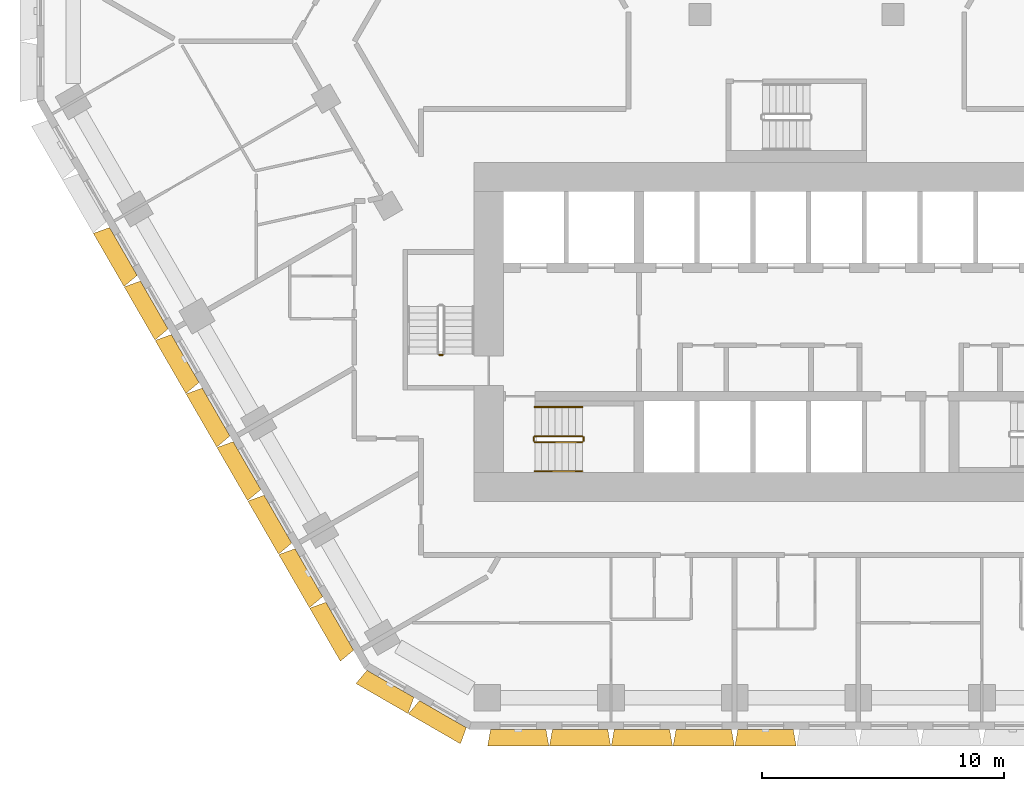
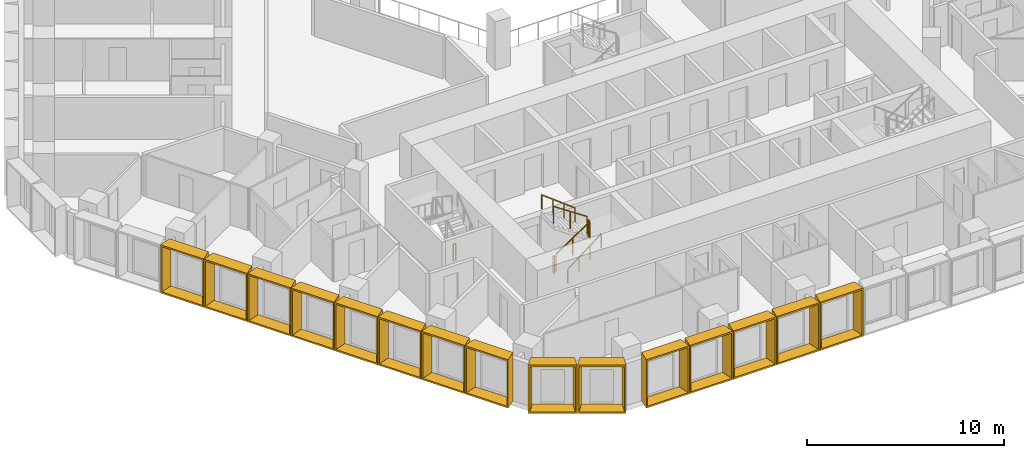
# One storey, part 18 of 21: 15 shading devices, 7 railings.
"""IFC4 building model written with IfcOpenShell, lengths in metres."""

from ifc_helpers import new_model, entity, si_unit, direction, frame, origin, origin_2d, place, context, subcontext, project, spatial, rectangle, extrude, source, transform, mapped, material, type_object, type_shapes, element, save


model = new_model("IFC4")

# Units and contexts
model_context = context("Model", 3, precision=1e-05, world=origin(), true_north=direction((0.0, 1.0)))
body_context = subcontext(model_context, "Body", "Model", "MODEL_VIEW")
ifc_project = project(units=[si_unit("LENGTHUNIT", "METRE"), si_unit("AREAUNIT", "SQUARE_METRE"), si_unit("VOLUMEUNIT", "CUBIC_METRE"), si_unit("PLANEANGLEUNIT", "RADIAN"), si_unit("MASSUNIT", "GRAM", prefix="KILO")], contexts=[model_context])

# Site, building, storey
site_placement = place(None, origin())
site = spatial("IfcSite", under=ifc_project, at=site_placement, CompositionType="ELEMENT")
building_placement = place(site_placement, origin())
building = spatial("IfcBuilding", under=site, at=building_placement, Name="Beryl Residences", CompositionType="ELEMENT")
storey_placement = place(building_placement, frame((0.0, 0.0, 59.39990234375)))
storey = spatial("IfcBuildingStorey", under=building, at=storey_placement, Name="L18", CompositionType="ELEMENT", Elevation=59.39990234375)

# Shading devices
ifc_material_1 = material(Name="Aluminium pale anodised", Category="aluminium")
shading_device_type_1 = type_object("IfcShadingDeviceType", Name="FR250-70A OUTER SKIN frame 700 mm deep, splay 10/10 deg, 2500 x 3000 mm cell", PredefinedType="USERDEFINED", material=ifc_material_1)
cartesian_point_1 = entity("IfcCartesianPoint", [-1.116455078125, 0.0])
cartesian_point_2 = entity("IfcCartesianPoint", [-1.03515625, 0.10009765625])
cartesian_point_3 = entity("IfcCartesianPoint", [-1.239990234375, 0.0])
cartesian_point_4 = entity("IfcCartesianPoint", [-1.15869140625, 0.10009765625])
shared_shape_1 = source(origin(), body_context, "Body", "SweptSolid", [
    entity("IfcExtrudedAreaSolidTapered", entity("IfcArbitraryProfileDefWithVoids", "AREA", None, entity("IfcPolyline", [cartesian_point_1, entity("IfcCartesianPoint", [1.116455078125, 0.0]), entity("IfcCartesianPoint", [1.116455078125, 3.0]), entity("IfcCartesianPoint", [-1.116455078125, 3.0]), cartesian_point_1]), [entity("IfcPolyline", [cartesian_point_2, entity("IfcCartesianPoint", [1.03515625, 0.10009765625]), entity("IfcCartesianPoint", [1.03515625, 2.89990234375]), entity("IfcCartesianPoint", [-1.03515625, 2.89990234375]), cartesian_point_2])]), entity("IfcAxis2Placement3D", entity("IfcCartesianPoint", [0.0, 0.0, 0.0]), entity("IfcDirection", [0.0, 1.0, 0.0]), entity("IfcDirection", [-1.0, 0.0, 0.0])), entity("IfcDirection", [0.0, 0.0, 1.0]), 0.699951171875, entity("IfcArbitraryProfileDefWithVoids", "AREA", None, entity("IfcPolyline", [cartesian_point_3, entity("IfcCartesianPoint", [1.239990234375, 0.0]), entity("IfcCartesianPoint", [1.239990234375, 3.0]), entity("IfcCartesianPoint", [-1.239990234375, 3.0]), cartesian_point_3]), [entity("IfcPolyline", [cartesian_point_4, entity("IfcCartesianPoint", [1.15869140625, 0.10009765625]), entity("IfcCartesianPoint", [1.15869140625, 2.89990234375]), entity("IfcCartesianPoint", [-1.15869140625, 2.89990234375]), cartesian_point_4])])),
])
type_shapes(shading_device_type_1, [shared_shape_1])
for number, where, z_axis, x_axis, name in (
    (1, (-16.758056640625, -26.52490234375, 0.0), (0.0, 0.0, 1.0), (-0.866025403784, 0.5, 0.0), "FR250-70A frame L18 SW-S 1"),
    (2, (-14.593017578125, -27.77490234375, 0.0), (0.0, 0.0, 1.0), (-0.866025403784, 0.5, 0.0), "FR250-70A frame L18 SW-S 2"),
):
    element("IfcShadingDevice", number, at=place(storey_placement, frame(where, z_axis=z_axis, x_axis=x_axis)), inside=storey, type_object=shading_device_type_1, Name=name, ObjectType="OUTER SKIN", PredefinedType="USERDEFINED", context=body_context, shape_type="MappedRepresentation", body=[
        mapped(shared_shape_1, transform((0.0, 0.0, 0.0))),
    ])
ifc_material_2 = material(Name="Aluminium pale anodised", Category="aluminium")
shading_device_type_2 = type_object("IfcShadingDeviceType", Name="FR255-70A OUTER SKIN frame 700 mm deep, splay 10/10 deg, 2550 x 3000 mm cell", PredefinedType="USERDEFINED", material=ifc_material_2)
cartesian_point_5 = entity("IfcCartesianPoint", [-1.1416015625, 0.0])
cartesian_point_6 = entity("IfcCartesianPoint", [-1.060302734375, 0.10009765625])
cartesian_point_7 = entity("IfcCartesianPoint", [-1.264892578125, 0.0])
cartesian_point_8 = entity("IfcCartesianPoint", [-1.18359375, 0.10009765625])
shared_shape_2 = source(origin(), body_context, "Body", "SweptSolid", [
    entity("IfcExtrudedAreaSolidTapered", entity("IfcArbitraryProfileDefWithVoids", "AREA", None, entity("IfcPolyline", [cartesian_point_5, entity("IfcCartesianPoint", [1.1416015625, 0.0]), entity("IfcCartesianPoint", [1.1416015625, 3.0]), entity("IfcCartesianPoint", [-1.1416015625, 3.0]), cartesian_point_5]), [entity("IfcPolyline", [cartesian_point_6, entity("IfcCartesianPoint", [1.060302734375, 0.10009765625]), entity("IfcCartesianPoint", [1.060302734375, 2.89990234375]), entity("IfcCartesianPoint", [-1.060302734375, 2.89990234375]), cartesian_point_6])]), entity("IfcAxis2Placement3D", entity("IfcCartesianPoint", [0.0, 0.0, 0.0]), entity("IfcDirection", [0.0, 1.0, 0.0]), entity("IfcDirection", [-1.0, 0.0, 0.0])), entity("IfcDirection", [0.0, 0.0, 1.0]), 0.699951171875, entity("IfcArbitraryProfileDefWithVoids", "AREA", None, entity("IfcPolyline", [cartesian_point_7, entity("IfcCartesianPoint", [1.264892578125, 0.0]), entity("IfcCartesianPoint", [1.264892578125, 3.0]), entity("IfcCartesianPoint", [-1.264892578125, 3.0]), cartesian_point_7]), [entity("IfcPolyline", [cartesian_point_8, entity("IfcCartesianPoint", [1.18359375, 0.10009765625]), entity("IfcCartesianPoint", [1.18359375, 2.89990234375]), entity("IfcCartesianPoint", [-1.18359375, 2.89990234375]), cartesian_point_8])])),
])
type_shapes(shading_device_type_2, [shared_shape_2])
for number, where, z_axis, x_axis, name in (
    (3, (-27.783935546875, -8.676025390625, 0.0), (0.0, 0.0, 1.0), (-0.5, 0.866025403784, 0.0), "FR255-70A frame L18 SW 3"),
    (4, (-26.508056640625, -10.885986328125, 0.0), (0.0, 0.0, 1.0), (-0.5, 0.866025403784, 0.0), "FR255-70A frame L18 SW 4"),
    (5, (-25.23193359375, -13.095947265625, 0.0), (0.0, 0.0, 1.0), (-0.5, 0.866025403784, 0.0), "FR255-70A frame L18 SW 5"),
    (6, (-23.95703125, -15.305908203125, 0.0), (0.0, 0.0, 1.0), (-0.5, 0.866025403784, 0.0), "FR255-70A frame L18 SW 6"),
    (7, (-22.680908203125, -17.51611328125, 0.0), (0.0, 0.0, 1.0), (-0.5, 0.866025403784, 0.0), "FR255-70A frame L18 SW 7"),
    (8, (-21.405029296875, -19.72607421875, 0.0), (0.0, 0.0, 1.0), (-0.5, 0.866025403784, 0.0), "FR255-70A frame L18 SW 8"),
    (9, (-20.12890625, -21.93603515625, 0.0), (0.0, 0.0, 1.0), (-0.5, 0.866025403784, 0.0), "FR255-70A frame L18 SW 9"),
    (10, (-18.85302734375, -24.14599609375, 0.0), (0.0, 0.0, 1.0), (-0.5, 0.866025403784, 0.0), "FR255-70A frame L18 SW 10"),
    (11, (-11.48291015625, -28.39990234375, 0.0), (0.0, 0.0, 1.0), (-1.0, 0.0, 0.0), "FR255-70A frame L18 S 1"),
    (12, (-8.930908203125, -28.39990234375, 0.0), (0.0, 0.0, 1.0), (-1.0, 0.0, 0.0), "FR255-70A frame L18 S 2"),
    (13, (-6.37890625, -28.39990234375, 0.0), (0.0, 0.0, 1.0), (-1.0, 0.0, 0.0), "FR255-70A frame L18 S 3"),
    (14, (-3.826904296875, -28.39990234375, 0.0), (0.0, 0.0, 1.0), (-1.0, 0.0, 0.0), "FR255-70A frame L18 S 4"),
    (15, (-1.27490234375, -28.39990234375, 0.0), (0.0, 0.0, 1.0), (-1.0, 0.0, 0.0), "FR255-70A frame L18 S 5"),
):
    element("IfcShadingDevice", number, at=place(storey_placement, frame(where, z_axis=z_axis, x_axis=x_axis)), inside=storey, type_object=shading_device_type_2, Name=name, ObjectType="OUTER SKIN", PredefinedType="USERDEFINED", context=body_context, shape_type="MappedRepresentation", body=[
        mapped(shared_shape_2, transform((0.0, 0.0, 0.0))),
    ])

# Railings
ifc_material_3 = material(Name="Stainless steel balustrade with glass infill", Category="steel")
railing_type_1 = type_object("IfcRailingType", Name="SG1 stair guard 1100 mm", PredefinedType="GUARDRAIL", material=ifc_material_3)
railing_1_placement = place(storey_placement, frame((-10.800048828125, -16.550048828125, 0.1875)))
element("IfcRailing", 16, at=railing_1_placement, inside=storey, type_object=railing_type_1, Name="L18 ST-1 stair guard 1", PredefinedType="GUARDRAIL", context=body_context, shape_type="SweptSolid", body=[
    extrude(rectangle(XDim=0.048095703125, YDim=0.048095703125, at=origin_2d()), frame((0.0, 0.0, 1.076171875), z_axis=(0.830902050051, 0.0, 0.556418712142), x_axis=(0.0, 1.0, 0.0)), (0.0, 0.0, 1.0), 2.35888671875),
    extrude(rectangle(XDim=0.0419921875, YDim=0.0419921875, at=origin_2d()), origin(), (0.0, 0.0, 1.0), 1.052001953125),
    extrude(rectangle(XDim=0.0419921875, YDim=0.0419921875, at=origin_2d()), frame((0.97998046875, 0.0, 0.65625)), (0.0, 0.0, 1.0), 1.052001953125),
    extrude(rectangle(XDim=0.0419921875, YDim=0.0419921875, at=origin_2d()), frame((1.9599609375, 0.0, 1.3125)), (0.0, 0.0, 1.0), 1.052001953125),
])
railing_2_placement = place(storey_placement, frame((-8.7900390625, -16.5, 1.5)))
element("IfcRailing", 17, at=railing_2_placement, inside=storey, type_object=railing_type_1, Name="L18 ST-1 stair guard 2", PredefinedType="GUARDRAIL", context=body_context, shape_type="SweptSolid", body=[
    extrude(rectangle(XDim=0.048095703125, YDim=0.048095703125, at=origin_2d()), frame((0.0, 0.0, 1.076171875), z_axis=(0.0, 1.0, 0.0), x_axis=(-1.0, 0.0, 0.0)), (0.0, 0.0, 1.0), 0.14990234375),
    extrude(rectangle(XDim=0.0419921875, YDim=0.0419921875, at=origin_2d()), origin(), (0.0, 0.0, 1.0), 1.052001953125),
    extrude(rectangle(XDim=0.0419921875, YDim=0.0419921875, at=origin_2d()), frame((0.0, 0.14990234375, 0.0)), (0.0, 0.0, 1.0), 1.052001953125),
])
railing_3_placement = place(storey_placement, frame((-8.840087890625, -16.300048828125, 1.6875)))
element("IfcRailing", 18, at=railing_3_placement, inside=storey, type_object=railing_type_1, Name="L18 ST-1 stair guard 3", PredefinedType="GUARDRAIL", context=body_context, shape_type="SweptSolid", body=[
    extrude(rectangle(XDim=0.048095703125, YDim=0.048095703125, at=origin_2d()), frame((0.0, 0.0, 1.076171875), z_axis=(-0.830902050051, 0.0, 0.556418712142), x_axis=(0.0, -1.0, 0.0)), (0.0, 0.0, 1.0), 2.35888671875),
    extrude(rectangle(XDim=0.0419921875, YDim=0.0419921875, at=origin_2d()), origin(), (0.0, 0.0, 1.0), 1.052001953125),
    extrude(rectangle(XDim=0.0419921875, YDim=0.0419921875, at=origin_2d()), frame((-0.97998046875, 0.0, 0.65625)), (0.0, 0.0, 1.0), 1.052001953125),
    extrude(rectangle(XDim=0.0419921875, YDim=0.0419921875, at=origin_2d()), frame((-1.9599609375, 0.0, 1.3125)), (0.0, 0.0, 1.0), 1.052001953125),
])
railing_4_placement = place(storey_placement, frame((-10.85009765625, -16.5, 0.0)))
element("IfcRailing", 19, at=railing_4_placement, inside=storey, type_object=railing_type_1, Name="L18 ST-1 stair guard 4", PredefinedType="GUARDRAIL", context=body_context, shape_type="SweptSolid", body=[
    extrude(rectangle(XDim=0.048095703125, YDim=0.048095703125, at=origin_2d()), frame((0.0, 0.0, 1.076171875), z_axis=(0.0, 1.0, 0.0), x_axis=(-1.0, 0.0, 0.0)), (0.0, 0.0, 1.0), 0.14990234375),
    extrude(rectangle(XDim=0.0419921875, YDim=0.0419921875, at=origin_2d()), origin(), (0.0, 0.0, 1.0), 1.052001953125),
    extrude(rectangle(XDim=0.0419921875, YDim=0.0419921875, at=origin_2d()), frame((0.0, 0.14990234375, 0.0)), (0.0, 0.0, 1.0), 1.052001953125),
])
railing_5_placement = place(storey_placement, frame((-14.60009765625, -12.949951171875, 0.0)))
element("IfcRailing", 20, at=railing_5_placement, inside=storey, type_object=railing_type_1, Name="L18 ST-2 stair guard 4", PredefinedType="GUARDRAIL", context=body_context, shape_type="SweptSolid", body=[
    extrude(rectangle(XDim=0.048095703125, YDim=0.048095703125, at=origin_2d()), frame((0.0, 0.0, 1.076171875), z_axis=(-1.0, 0.0, 0.0), x_axis=(0.0, -1.0, 0.0)), (0.0, 0.0, 1.0), 0.14990234375),
    extrude(rectangle(XDim=0.0419921875, YDim=0.0419921875, at=origin_2d()), origin(), (0.0, 0.0, 1.0), 1.052001953125),
    extrude(rectangle(XDim=0.0419921875, YDim=0.0419921875, at=origin_2d()), frame((-0.14990234375, 0.0, 0.0)), (0.0, 0.0, 1.0), 1.052001953125),
])
ifc_material_4 = material(Name="Stainless steel handrail", Category="steel")
railing_type_2 = type_object("IfcRailingType", Name="SRL1 stair handrail 900 mm", PredefinedType="HANDRAIL", material=ifc_material_4)
railing_6_placement = place(storey_placement, frame((-10.800048828125, -17.75, 0.1875)))
element("IfcRailing", 21, at=railing_6_placement, inside=storey, type_object=railing_type_2, Name="L18 ST-1 stair handrail 1", PredefinedType="HANDRAIL", context=body_context, shape_type="SweptSolid", body=[
    extrude(rectangle(XDim=0.048095703125, YDim=0.048095703125, at=origin_2d()), frame((0.0, 0.0, 0.8759765625), z_axis=(0.794121922505, 0.0, 0.607758481798), x_axis=(0.0, 1.0, 0.0)), (0.0, 0.0, 1.0), 2.468017578125),
    extrude(rectangle(XDim=0.0419921875, YDim=0.0419921875, at=origin_2d()), origin(), (0.0, 0.0, 1.0), 0.851806640625),
    extrude(rectangle(XDim=0.0419921875, YDim=0.0419921875, at=origin_2d()), frame((0.6533203125, 0.0, 0.5)), (0.0, 0.0, 1.0), 0.851806640625),
    extrude(rectangle(XDim=0.0419921875, YDim=0.0419921875, at=origin_2d()), frame((1.306640625, 0.0, 1.0)), (0.0, 0.0, 1.0), 0.851806640625),
    extrude(rectangle(XDim=0.0419921875, YDim=0.0419921875, at=origin_2d()), frame((1.9599609375, 0.0, 1.5)), (0.0, 0.0, 1.0), 0.851806640625),
])
railing_7_placement = place(storey_placement, frame((-8.840087890625, -15.10009765625, 1.6875)))
element("IfcRailing", 22, at=railing_7_placement, inside=storey, type_object=railing_type_2, Name="L18 ST-1 stair handrail 2", PredefinedType="HANDRAIL", context=body_context, shape_type="SweptSolid", body=[
    extrude(rectangle(XDim=0.048095703125, YDim=0.048095703125, at=origin_2d()), frame((0.0, 0.0, 0.8759765625), z_axis=(-0.794121922505, 0.0, 0.607758481798), x_axis=(0.0, -1.0, 0.0)), (0.0, 0.0, 1.0), 2.468017578125),
    extrude(rectangle(XDim=0.0419921875, YDim=0.0419921875, at=origin_2d()), origin(), (0.0, 0.0, 1.0), 0.851806640625),
    extrude(rectangle(XDim=0.0419921875, YDim=0.0419921875, at=origin_2d()), frame((-0.6533203125, 0.0, 0.5)), (0.0, 0.0, 1.0), 0.851806640625),
    extrude(rectangle(XDim=0.0419921875, YDim=0.0419921875, at=origin_2d()), frame((-1.306640625, 0.0, 1.0)), (0.0, 0.0, 1.0), 0.851806640625),
    extrude(rectangle(XDim=0.0419921875, YDim=0.0419921875, at=origin_2d()), frame((-1.9599609375, 0.0, 1.5)), (0.0, 0.0, 1.0), 0.851806640625),
])

save(model, "model.ifc")
